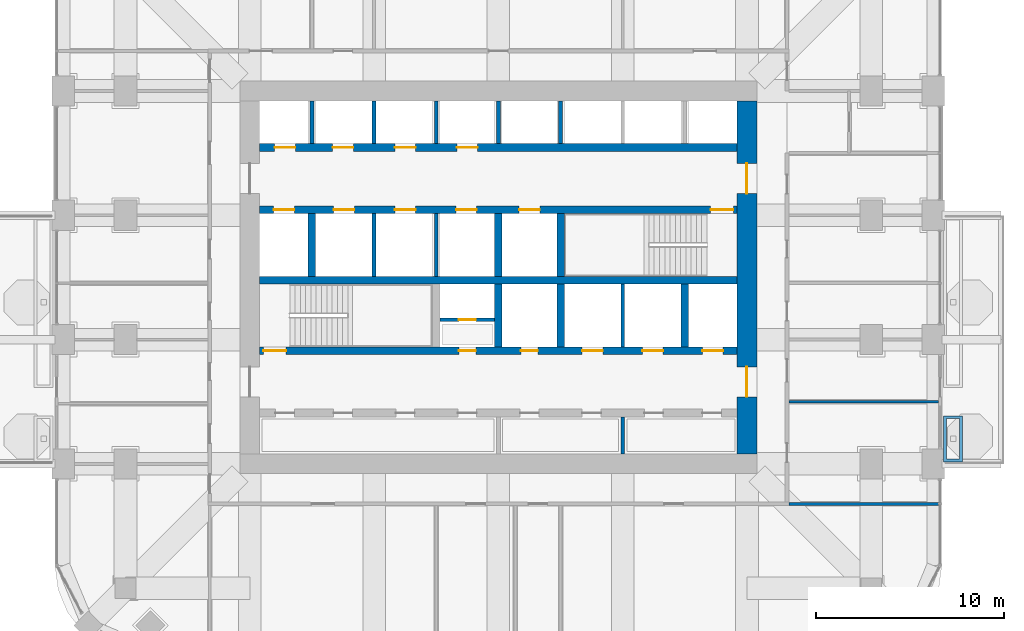
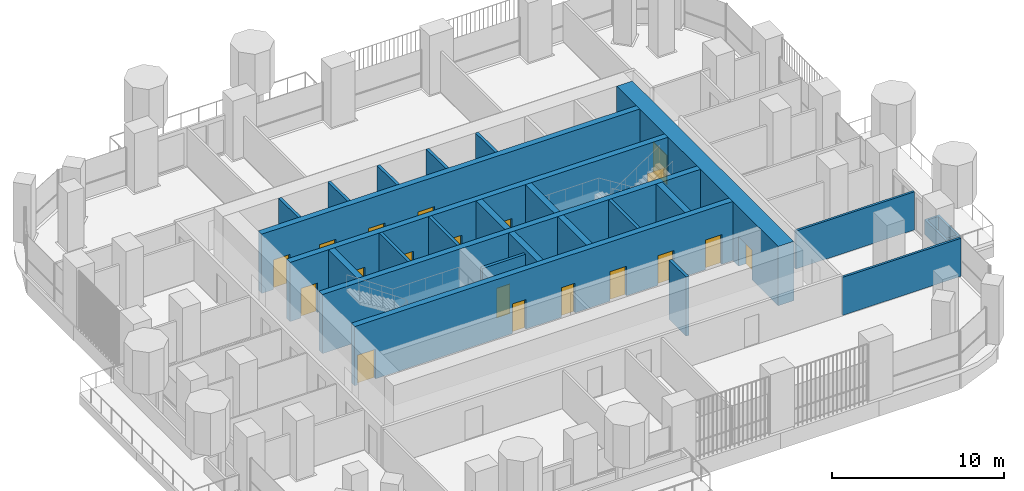
# One storey, part 13 of 20: 24 walls, 19 doors, 19 openings.
"""IFC4 building model written with IfcOpenShell, lengths in metres."""

from ifc_helpers import new_model, si_unit, direction, frame, frame_2d, origin, place, context, subcontext, project, spatial, polyline, rectangle, outline, extrude, material, layer, layer_set, type_object, element, fill, save


model = new_model("IFC4")

# Units and contexts
model_context = context("Model", 3, precision=1e-05, world=origin(), true_north=direction((0.0, 1.0)))
body_context = subcontext(model_context, "Body", "Model", "MODEL_VIEW")
ifc_project = project(units=[si_unit("LENGTHUNIT", "METRE"), si_unit("AREAUNIT", "SQUARE_METRE"), si_unit("VOLUMEUNIT", "CUBIC_METRE"), si_unit("PLANEANGLEUNIT", "RADIAN"), si_unit("MASSUNIT", "GRAM", prefix="KILO")], contexts=[model_context])

# Site, building, storey
site_placement = place(None, origin())
site = spatial("IfcSite", under=ifc_project, at=site_placement, CompositionType="ELEMENT")
building_placement = place(site_placement, origin())
building = spatial("IfcBuilding", under=site, at=building_placement, Name="Cobogo Forest Laboratory Tower", CompositionType="ELEMENT")
storey_placement = place(building_placement, frame((0.0, 0.0, 193.5)))
storey = spatial("IfcBuildingStorey", under=building, at=storey_placement, Name="L44", CompositionType="ELEMENT", Elevation=193.5)

# Wall, openings, doors
ifc_material_1 = material(Name="Concrete HA-50 (C50/60)", Category="concrete")
ifc_layer_1 = layer(ifc_material_1, 0.39990234375)
ifc_layer_set_1 = layer_set([ifc_layer_1], Name="CI400 core inner wall 400")
wall_type_1 = type_object("IfcWallType", Name="CI400 core inner wall 400", PredefinedType="SHEAR", material=ifc_layer_set_1)
wall_1_placement = place(storey_placement, frame((13.72509765625, 19.199951171875, 0.0), z_axis=(0.0, 0.0, 1.0), x_axis=(1.0, 0.0, 0.0)))
wall_1 = element("IfcWall", 1, at=wall_1_placement, inside=storey, type_object=wall_type_1, Name="Core wall CI-19.2 L44", PredefinedType="SHEAR", context=body_context, shape_type="SweptSolid", body=[
    extrude(rectangle(XDim=25.349853515625, YDim=0.39990234375, at=frame_2d((12.6748046875, 0.0))), origin(), (0.0, 0.0, 1.0), 4.199951171875),
])
opening_1_placement = place(wall_1_placement, frame((10.574951171875, 0.0, 0.0)))
opening_1 = element("IfcOpeningElement", 2, at=opening_1_placement, cuts=wall_1, Name="Opening L44-D24", PredefinedType="OPENING", context=body_context, shape_type="SweptSolid", body=[
    extrude(rectangle(XDim=0.89990234375, YDim=2.10009765625, at=frame_2d((0.449951171875, 1.050048828125))), frame((0.0, 0.2099609375, 0.0), z_axis=(0.0, -1.0, 0.0), x_axis=(1.0, 0.0, 0.0)), (0.0, 0.0, 1.0), 0.419921875),
])
opening_2_placement = place(wall_1_placement, frame((13.875, 0.0, 0.0)))
opening_2 = element("IfcOpeningElement", 3, at=opening_2_placement, cuts=wall_1, Name="Opening L44-D25", PredefinedType="OPENING", context=body_context, shape_type="SweptSolid", body=[
    extrude(rectangle(XDim=0.89990234375, YDim=2.10009765625, at=frame_2d((0.449951171875, 1.050048828125))), frame((0.0, 0.2099609375, 0.0), z_axis=(0.0, -1.0, 0.0), x_axis=(1.0, 0.0, 0.0)), (0.0, 0.0, 1.0), 0.419921875),
])
opening_3_placement = place(wall_1_placement, frame((0.199951171875, 0.0, 0.0)))
opening_3 = element("IfcOpeningElement", 4, at=opening_3_placement, cuts=wall_1, Name="Opening L44-D23", PredefinedType="OPENING", context=body_context, shape_type="SweptSolid", body=[
    extrude(rectangle(XDim=1.199951171875, YDim=2.10009765625, at=frame_2d((0.60009765625, 1.050048828125))), frame((0.0, 0.2099609375, 0.0), z_axis=(0.0, -1.0, 0.0), x_axis=(1.0, 0.0, 0.0)), (0.0, 0.0, 1.0), 0.419921875),
])
opening_4_placement = place(wall_1_placement, frame((23.512451171875, 0.0, 0.0)))
opening_4 = element("IfcOpeningElement", 5, at=opening_4_placement, cuts=wall_1, Name="Opening L44-LD-FL2", PredefinedType="OPENING", context=body_context, shape_type="SweptSolid", body=[
    extrude(rectangle(XDim=1.10009765625, YDim=2.10009765625, at=frame_2d((0.550048828125, 1.050048828125))), frame((0.0, 0.2099609375, 0.0), z_axis=(0.0, -1.0, 0.0), x_axis=(1.0, 0.0, 0.0)), (0.0, 0.0, 1.0), 0.419921875),
])
opening_5_placement = place(wall_1_placement, frame((17.125, 0.0, 0.0)))
opening_5 = element("IfcOpeningElement", 6, at=opening_5_placement, cuts=wall_1, Name="Opening L44-LD-LS1", PredefinedType="OPENING", context=body_context, shape_type="SweptSolid", body=[
    extrude(rectangle(XDim=1.10009765625, YDim=2.10009765625, at=frame_2d((0.550048828125, 1.050048828125))), frame((0.0, 0.2099609375, 0.0), z_axis=(0.0, -1.0, 0.0), x_axis=(1.0, 0.0, 0.0)), (0.0, 0.0, 1.0), 0.419921875),
])
opening_6_placement = place(wall_1_placement, frame((20.324951171875, 0.0, 0.0)))
opening_6 = element("IfcOpeningElement", 7, at=opening_6_placement, cuts=wall_1, Name="Opening L44-LD-LS2", PredefinedType="OPENING", context=body_context, shape_type="SweptSolid", body=[
    extrude(rectangle(XDim=1.10009765625, YDim=2.10009765625, at=frame_2d((0.550048828125, 1.050048828125))), frame((0.0, 0.2099609375, 0.0), z_axis=(0.0, -1.0, 0.0), x_axis=(1.0, 0.0, 0.0)), (0.0, 0.0, 1.0), 0.419921875),
])
ifc_material_2 = material(Name="Steel fire door", Category="steel")
door_type_1 = type_object("IfcDoorType", Name="DS1 protected stair door 1200 EI2 60", OperationType="SINGLE_SWING_LEFT", PredefinedType="DOOR", material=ifc_material_2)
door_1_placement = place(opening_3_placement, origin())
door_1 = element("IfcDoor", 8, at=door_1_placement, inside=storey, type_object=door_type_1, Name="Door L44-ST1", OperationType="SINGLE_SWING_LEFT", OverallHeight=2.10009765625, OverallWidth=1.199951171875, PredefinedType="DOOR", context=body_context, shape_type="SweptSolid", body=[
    extrude(rectangle(XDim=1.199951171875, YDim=2.10009765625, at=frame_2d((0.60009765625, 1.050048828125))), frame((0.0, 0.02490234375, 0.0), z_axis=(0.0, -1.0, 0.0), x_axis=(1.0, 0.0, 0.0)), (0.0, 0.0, 1.0), 0.050048828125),
])
fill(opening_3, door_1)
door_type_2 = type_object("IfcDoorType", Name="FD4 riser access door 900 EI2 60", OperationType="SINGLE_SWING_LEFT", PredefinedType="DOOR", material=ifc_material_2)
door_2_placement = place(opening_1_placement, origin())
door_2 = element("IfcDoor", 9, at=door_2_placement, inside=storey, type_object=door_type_2, Name="Door L44-R1V", OperationType="SINGLE_SWING_LEFT", OverallHeight=2.10009765625, OverallWidth=0.89990234375, PredefinedType="DOOR", context=body_context, shape_type="SweptSolid", body=[
    extrude(rectangle(XDim=0.89990234375, YDim=2.10009765625, at=frame_2d((0.449951171875, 1.050048828125))), frame((0.0, 0.02490234375, 0.0), z_axis=(0.0, -1.0, 0.0), x_axis=(1.0, 0.0, 0.0)), (0.0, 0.0, 1.0), 0.050048828125),
])
fill(opening_1, door_2)
door_3_placement = place(opening_2_placement, origin())
door_3 = element("IfcDoor", 10, at=door_3_placement, inside=storey, type_object=door_type_2, Name="Door L44-R2", OperationType="SINGLE_SWING_RIGHT", OverallHeight=2.10009765625, OverallWidth=0.89990234375, PredefinedType="DOOR", context=body_context, shape_type="SweptSolid", body=[
    extrude(rectangle(XDim=0.89990234375, YDim=2.10009765625, at=frame_2d((0.449951171875, 1.050048828125))), frame((0.0, 0.02490234375, 0.0), z_axis=(0.0, -1.0, 0.0), x_axis=(1.0, 0.0, 0.0)), (0.0, 0.0, 1.0), 0.050048828125),
])
fill(opening_2, door_3)
ifc_material_3 = material(Name="Stainless steel lift door", Category="steel")
door_type_3 = type_object("IfcDoorType", Name="LD lift landing door 1100", OperationType="DOUBLE_DOOR_SLIDING", PredefinedType="DOOR", material=ifc_material_3)
door_4_placement = place(opening_4_placement, origin())
door_4 = element("IfcDoor", 11, at=door_4_placement, inside=storey, type_object=door_type_3, Name="Lift landing door FL2 L44", OperationType="DOUBLE_DOOR_SLIDING", OverallHeight=2.10009765625, OverallWidth=1.10009765625, PredefinedType="DOOR", context=body_context, shape_type="SweptSolid", body=[
    extrude(rectangle(XDim=1.10009765625, YDim=2.10009765625, at=frame_2d((0.550048828125, 1.050048828125))), frame((0.0, 0.02490234375, 0.0), z_axis=(0.0, -1.0, 0.0), x_axis=(1.0, 0.0, 0.0)), (0.0, 0.0, 1.0), 0.050048828125),
])
fill(opening_4, door_4)
door_5_placement = place(opening_5_placement, origin())
door_5 = element("IfcDoor", 12, at=door_5_placement, inside=storey, type_object=door_type_3, Name="Lift landing door LS1 L44", OperationType="DOUBLE_DOOR_SLIDING", OverallHeight=2.10009765625, OverallWidth=1.10009765625, PredefinedType="DOOR", context=body_context, shape_type="SweptSolid", body=[
    extrude(rectangle(XDim=1.10009765625, YDim=2.10009765625, at=frame_2d((0.550048828125, 1.050048828125))), frame((0.0, 0.02490234375, 0.0), z_axis=(0.0, -1.0, 0.0), x_axis=(1.0, 0.0, 0.0)), (0.0, 0.0, 1.0), 0.050048828125),
])
fill(opening_5, door_5)
door_6_placement = place(opening_6_placement, origin())
door_6 = element("IfcDoor", 13, at=door_6_placement, inside=storey, type_object=door_type_3, Name="Lift landing door LS2 L44", OperationType="DOUBLE_DOOR_SLIDING", OverallHeight=2.10009765625, OverallWidth=1.10009765625, PredefinedType="DOOR", context=body_context, shape_type="SweptSolid", body=[
    extrude(rectangle(XDim=1.10009765625, YDim=2.10009765625, at=frame_2d((0.550048828125, 1.050048828125))), frame((0.0, 0.02490234375, 0.0), z_axis=(0.0, -1.0, 0.0), x_axis=(1.0, 0.0, 0.0)), (0.0, 0.0, 1.0), 0.050048828125),
])
fill(opening_6, door_6)

# Wall
wall_2_placement = place(storey_placement, frame((13.72509765625, 22.949951171875, 0.0), z_axis=(0.0, 0.0, 1.0), x_axis=(1.0, 0.0, 0.0)))
element("IfcWall", 14, at=wall_2_placement, inside=storey, type_object=wall_type_1, Name="Core wall CI-22.95 L44", PredefinedType="SHEAR", context=body_context, shape_type="SweptSolid", body=[
    extrude(rectangle(XDim=25.349853515625, YDim=0.39990234375, at=frame_2d((12.6748046875, 0.0))), origin(), (0.0, 0.0, 1.0), 4.199951171875),
])

# Wall, openings, doors
wall_3_placement = place(storey_placement, frame((13.72509765625, 26.699951171875, 0.0), z_axis=(0.0, 0.0, 1.0), x_axis=(1.0, 0.0, 0.0)))
wall_3 = element("IfcWall", 15, at=wall_3_placement, inside=storey, type_object=wall_type_1, Name="Core wall CI-26.7 L44", PredefinedType="SHEAR", context=body_context, shape_type="SweptSolid", body=[
    extrude(rectangle(XDim=25.349853515625, YDim=0.39990234375, at=frame_2d((12.6748046875, 0.0))), origin(), (0.0, 0.0, 1.0), 4.199951171875),
])
opening_7_placement = place(wall_3_placement, frame((23.949951171875, 0.0, 0.0)))
opening_7 = element("IfcOpeningElement", 16, at=opening_7_placement, cuts=wall_3, Name="Opening L44-D31", PredefinedType="OPENING", context=body_context, shape_type="SweptSolid", body=[
    extrude(rectangle(XDim=1.199951171875, YDim=2.10009765625, at=frame_2d((0.60009765625, 1.050048828125))), frame((0.0, 0.2099609375, 0.0), z_axis=(0.0, -1.0, 0.0), x_axis=(1.0, 0.0, 0.0)), (0.0, 0.0, 1.0), 0.419921875),
])
opening_8_placement = place(wall_3_placement, frame((0.737548828125, 0.0, 0.0)))
opening_8 = element("IfcOpeningElement", 17, at=opening_8_placement, cuts=wall_3, Name="Opening L44-LD-FL1", PredefinedType="OPENING", context=body_context, shape_type="SweptSolid", body=[
    extrude(rectangle(XDim=1.10009765625, YDim=2.10009765625, at=frame_2d((0.550048828125, 1.050048828125))), frame((0.0, 0.2099609375, 0.0), z_axis=(0.0, -1.0, 0.0), x_axis=(1.0, 0.0, 0.0)), (0.0, 0.0, 1.0), 0.419921875),
])
opening_9_placement = place(wall_3_placement, frame((3.925048828125, 0.0, 0.0)))
opening_9 = element("IfcOpeningElement", 18, at=opening_9_placement, cuts=wall_3, Name="Opening L44-LD-LS3", PredefinedType="OPENING", context=body_context, shape_type="SweptSolid", body=[
    extrude(rectangle(XDim=1.10009765625, YDim=2.10009765625, at=frame_2d((0.550048828125, 1.050048828125))), frame((0.0, 0.2099609375, 0.0), z_axis=(0.0, -1.0, 0.0), x_axis=(1.0, 0.0, 0.0)), (0.0, 0.0, 1.0), 0.419921875),
])
opening_10_placement = place(wall_3_placement, frame((7.175048828125, 0.0, 0.0)))
opening_10 = element("IfcOpeningElement", 19, at=opening_10_placement, cuts=wall_3, Name="Opening L44-LD-LS4", PredefinedType="OPENING", context=body_context, shape_type="SweptSolid", body=[
    extrude(rectangle(XDim=1.10009765625, YDim=2.10009765625, at=frame_2d((0.550048828125, 1.050048828125))), frame((0.0, 0.2099609375, 0.0), z_axis=(0.0, -1.0, 0.0), x_axis=(1.0, 0.0, 0.0)), (0.0, 0.0, 1.0), 0.419921875),
])
opening_11_placement = place(wall_3_placement, frame((10.425048828125, 0.0, 0.0)))
opening_11 = element("IfcOpeningElement", 20, at=opening_11_placement, cuts=wall_3, Name="Opening L44-LD-LS5", PredefinedType="OPENING", context=body_context, shape_type="SweptSolid", body=[
    extrude(rectangle(XDim=1.10009765625, YDim=2.10009765625, at=frame_2d((0.550048828125, 1.050048828125))), frame((0.0, 0.2099609375, 0.0), z_axis=(0.0, -1.0, 0.0), x_axis=(1.0, 0.0, 0.0)), (0.0, 0.0, 1.0), 0.419921875),
])
opening_12_placement = place(wall_3_placement, frame((13.77490234375, 0.0, 0.0)))
opening_12 = element("IfcOpeningElement", 21, at=opening_12_placement, cuts=wall_3, Name="Opening L44-LD-LS6", PredefinedType="OPENING", context=body_context, shape_type="SweptSolid", body=[
    extrude(rectangle(XDim=1.10009765625, YDim=2.10009765625, at=frame_2d((0.550048828125, 1.050048828125))), frame((0.0, 0.2099609375, 0.0), z_axis=(0.0, -1.0, 0.0), x_axis=(1.0, 0.0, 0.0)), (0.0, 0.0, 1.0), 0.419921875),
])
door_7_placement = place(opening_7_placement, origin())
door_7 = element("IfcDoor", 22, at=door_7_placement, inside=storey, type_object=door_type_1, Name="Door L44-ST2", OperationType="SINGLE_SWING_RIGHT", OverallHeight=2.10009765625, OverallWidth=1.199951171875, PredefinedType="DOOR", context=body_context, shape_type="SweptSolid", body=[
    extrude(rectangle(XDim=1.199951171875, YDim=2.10009765625, at=frame_2d((0.60009765625, 1.050048828125))), frame((0.0, 0.02490234375, 0.0), z_axis=(0.0, -1.0, 0.0), x_axis=(1.0, 0.0, 0.0)), (0.0, 0.0, 1.0), 0.050048828125),
])
fill(opening_7, door_7)
door_8_placement = place(opening_8_placement, origin())
door_8 = element("IfcDoor", 23, at=door_8_placement, inside=storey, type_object=door_type_3, Name="Lift landing door FL1 L44", OperationType="DOUBLE_DOOR_SLIDING", OverallHeight=2.10009765625, OverallWidth=1.10009765625, PredefinedType="DOOR", context=body_context, shape_type="SweptSolid", body=[
    extrude(rectangle(XDim=1.10009765625, YDim=2.10009765625, at=frame_2d((0.550048828125, 1.050048828125))), frame((0.0, 0.02490234375, 0.0), z_axis=(0.0, -1.0, 0.0), x_axis=(1.0, 0.0, 0.0)), (0.0, 0.0, 1.0), 0.050048828125),
])
fill(opening_8, door_8)
door_9_placement = place(opening_9_placement, origin())
door_9 = element("IfcDoor", 24, at=door_9_placement, inside=storey, type_object=door_type_3, Name="Lift landing door LS3 L44", OperationType="DOUBLE_DOOR_SLIDING", OverallHeight=2.10009765625, OverallWidth=1.10009765625, PredefinedType="DOOR", context=body_context, shape_type="SweptSolid", body=[
    extrude(rectangle(XDim=1.10009765625, YDim=2.10009765625, at=frame_2d((0.550048828125, 1.050048828125))), frame((0.0, 0.02490234375, 0.0), z_axis=(0.0, -1.0, 0.0), x_axis=(1.0, 0.0, 0.0)), (0.0, 0.0, 1.0), 0.050048828125),
])
fill(opening_9, door_9)
door_10_placement = place(opening_10_placement, origin())
door_10 = element("IfcDoor", 25, at=door_10_placement, inside=storey, type_object=door_type_3, Name="Lift landing door LS4 L44", OperationType="DOUBLE_DOOR_SLIDING", OverallHeight=2.10009765625, OverallWidth=1.10009765625, PredefinedType="DOOR", context=body_context, shape_type="SweptSolid", body=[
    extrude(rectangle(XDim=1.10009765625, YDim=2.10009765625, at=frame_2d((0.550048828125, 1.050048828125))), frame((0.0, 0.02490234375, 0.0), z_axis=(0.0, -1.0, 0.0), x_axis=(1.0, 0.0, 0.0)), (0.0, 0.0, 1.0), 0.050048828125),
])
fill(opening_10, door_10)
door_11_placement = place(opening_11_placement, origin())
door_11 = element("IfcDoor", 26, at=door_11_placement, inside=storey, type_object=door_type_3, Name="Lift landing door LS5 L44", OperationType="DOUBLE_DOOR_SLIDING", OverallHeight=2.10009765625, OverallWidth=1.10009765625, PredefinedType="DOOR", context=body_context, shape_type="SweptSolid", body=[
    extrude(rectangle(XDim=1.10009765625, YDim=2.10009765625, at=frame_2d((0.550048828125, 1.050048828125))), frame((0.0, 0.02490234375, 0.0), z_axis=(0.0, -1.0, 0.0), x_axis=(1.0, 0.0, 0.0)), (0.0, 0.0, 1.0), 0.050048828125),
])
fill(opening_11, door_11)
door_12_placement = place(opening_12_placement, origin())
door_12 = element("IfcDoor", 27, at=door_12_placement, inside=storey, type_object=door_type_3, Name="Lift landing door LS6 L44", OperationType="DOUBLE_DOOR_SLIDING", OverallHeight=2.10009765625, OverallWidth=1.10009765625, PredefinedType="DOOR", context=body_context, shape_type="SweptSolid", body=[
    extrude(rectangle(XDim=1.10009765625, YDim=2.10009765625, at=frame_2d((0.550048828125, 1.050048828125))), frame((0.0, 0.02490234375, 0.0), z_axis=(0.0, -1.0, 0.0), x_axis=(1.0, 0.0, 0.0)), (0.0, 0.0, 1.0), 0.050048828125),
])
fill(opening_12, door_12)

wall_4_placement = place(storey_placement, frame((13.72509765625, 30.0, 0.0), z_axis=(0.0, 0.0, 1.0), x_axis=(1.0, 0.0, 0.0)))
wall_4 = element("IfcWall", 28, at=wall_4_placement, inside=storey, type_object=wall_type_1, Name="Core wall CI-30.0 L44", PredefinedType="SHEAR", context=body_context, shape_type="SweptSolid", body=[
    extrude(rectangle(XDim=25.349853515625, YDim=0.39990234375, at=frame_2d((12.6748046875, 0.0))), origin(), (0.0, 0.0, 1.0), 4.199951171875),
])
opening_13_placement = place(wall_4_placement, frame((0.78759765625, 0.0, 0.0)))
opening_13 = element("IfcOpeningElement", 29, at=opening_13_placement, cuts=wall_4, Name="Opening L44-LD-LC1", PredefinedType="OPENING", context=body_context, shape_type="SweptSolid", body=[
    extrude(rectangle(XDim=1.10009765625, YDim=2.10009765625, at=frame_2d((0.550048828125, 1.050048828125))), frame((0.0, 0.2099609375, 0.0), z_axis=(0.0, -1.0, 0.0), x_axis=(1.0, 0.0, 0.0)), (0.0, 0.0, 1.0), 0.419921875),
])
opening_14_placement = place(wall_4_placement, frame((3.875, 0.0, 0.0)))
opening_14 = element("IfcOpeningElement", 30, at=opening_14_placement, cuts=wall_4, Name="Opening L44-LD-LC2", PredefinedType="OPENING", context=body_context, shape_type="SweptSolid", body=[
    extrude(rectangle(XDim=1.10009765625, YDim=2.10009765625, at=frame_2d((0.550048828125, 1.050048828125))), frame((0.0, 0.2099609375, 0.0), z_axis=(0.0, -1.0, 0.0), x_axis=(1.0, 0.0, 0.0)), (0.0, 0.0, 1.0), 0.419921875),
])
opening_15_placement = place(wall_4_placement, frame((7.175048828125, 0.0, 0.0)))
opening_15 = element("IfcOpeningElement", 31, at=opening_15_placement, cuts=wall_4, Name="Opening L44-LD-LC3", PredefinedType="OPENING", context=body_context, shape_type="SweptSolid", body=[
    extrude(rectangle(XDim=1.10009765625, YDim=2.10009765625, at=frame_2d((0.550048828125, 1.050048828125))), frame((0.0, 0.2099609375, 0.0), z_axis=(0.0, -1.0, 0.0), x_axis=(1.0, 0.0, 0.0)), (0.0, 0.0, 1.0), 0.419921875),
])
opening_16_placement = place(wall_4_placement, frame((10.47509765625, 0.0, 0.0)))
opening_16 = element("IfcOpeningElement", 32, at=opening_16_placement, cuts=wall_4, Name="Opening L44-LD-LC4", PredefinedType="OPENING", context=body_context, shape_type="SweptSolid", body=[
    extrude(rectangle(XDim=1.10009765625, YDim=2.10009765625, at=frame_2d((0.550048828125, 1.050048828125))), frame((0.0, 0.2099609375, 0.0), z_axis=(0.0, -1.0, 0.0), x_axis=(1.0, 0.0, 0.0)), (0.0, 0.0, 1.0), 0.419921875),
])
door_13_placement = place(opening_13_placement, origin())
door_13 = element("IfcDoor", 33, at=door_13_placement, inside=storey, type_object=door_type_3, Name="Lift landing door LC1 L44", OperationType="DOUBLE_DOOR_SLIDING", OverallHeight=2.10009765625, OverallWidth=1.10009765625, PredefinedType="DOOR", context=body_context, shape_type="SweptSolid", body=[
    extrude(rectangle(XDim=1.10009765625, YDim=2.10009765625, at=frame_2d((0.550048828125, 1.050048828125))), frame((0.0, 0.02490234375, 0.0), z_axis=(0.0, -1.0, 0.0), x_axis=(1.0, 0.0, 0.0)), (0.0, 0.0, 1.0), 0.050048828125),
])
fill(opening_13, door_13)
door_14_placement = place(opening_14_placement, origin())
door_14 = element("IfcDoor", 34, at=door_14_placement, inside=storey, type_object=door_type_3, Name="Lift landing door LC2 L44", OperationType="DOUBLE_DOOR_SLIDING", OverallHeight=2.10009765625, OverallWidth=1.10009765625, PredefinedType="DOOR", context=body_context, shape_type="SweptSolid", body=[
    extrude(rectangle(XDim=1.10009765625, YDim=2.10009765625, at=frame_2d((0.550048828125, 1.050048828125))), frame((0.0, 0.02490234375, 0.0), z_axis=(0.0, -1.0, 0.0), x_axis=(1.0, 0.0, 0.0)), (0.0, 0.0, 1.0), 0.050048828125),
])
fill(opening_14, door_14)
door_15_placement = place(opening_15_placement, origin())
door_15 = element("IfcDoor", 35, at=door_15_placement, inside=storey, type_object=door_type_3, Name="Lift landing door LC3 L44", OperationType="DOUBLE_DOOR_SLIDING", OverallHeight=2.10009765625, OverallWidth=1.10009765625, PredefinedType="DOOR", context=body_context, shape_type="SweptSolid", body=[
    extrude(rectangle(XDim=1.10009765625, YDim=2.10009765625, at=frame_2d((0.550048828125, 1.050048828125))), frame((0.0, 0.02490234375, 0.0), z_axis=(0.0, -1.0, 0.0), x_axis=(1.0, 0.0, 0.0)), (0.0, 0.0, 1.0), 0.050048828125),
])
fill(opening_15, door_15)
door_16_placement = place(opening_16_placement, origin())
door_16 = element("IfcDoor", 36, at=door_16_placement, inside=storey, type_object=door_type_3, Name="Lift landing door LC4 L44", OperationType="DOUBLE_DOOR_SLIDING", OverallHeight=2.10009765625, OverallWidth=1.10009765625, PredefinedType="DOOR", context=body_context, shape_type="SweptSolid", body=[
    extrude(rectangle(XDim=1.10009765625, YDim=2.10009765625, at=frame_2d((0.550048828125, 1.050048828125))), frame((0.0, 0.02490234375, 0.0), z_axis=(0.0, -1.0, 0.0), x_axis=(1.0, 0.0, 0.0)), (0.0, 0.0, 1.0), 0.050048828125),
])
fill(opening_16, door_16)

# Walls
for number, where, z_axis, x_axis, name in (
    (37, (26.39990234375, 19.39990234375, 0.0), (0.0, 0.0, 1.0), (0.0, 1.0, 0.0), "Core wall CX-26.4S L44"),
    (38, (29.699951171875, 19.39990234375, 0.0), (0.0, 0.0, 1.0), (0.0, 1.0, 0.0), "Core wall CX-29.7S L44"),
    (39, (36.300048828125, 19.39990234375, 0.0), (0.0, 0.0, 1.0), (0.0, 1.0, 0.0), "Core wall CX-36.3 L44"),
    (40, (16.5, 23.14990234375, 0.0), (0.0, 0.0, 1.0), (0.0, 1.0, 0.0), "Core wall CX-16.5 L44"),
    (41, (26.39990234375, 23.14990234375, 0.0), (0.0, 0.0, 1.0), (0.0, 1.0, 0.0), "Core wall CX-26.4N L44"),
    (42, (29.699951171875, 23.14990234375, 0.0), (0.0, 0.0, 1.0), (0.0, 1.0, 0.0), "Core wall CX-29.7N L44"),
):
    element("IfcWall", number, at=place(storey_placement, frame(where, z_axis=z_axis, x_axis=x_axis)), inside=storey, type_object=wall_type_1, Name=name, PredefinedType="SHEAR", context=body_context, shape_type="SweptSolid", body=[
        extrude(rectangle(XDim=3.35009765625, YDim=0.39990234375, at=frame_2d((1.675048828125, 0.0))), origin(), (0.0, 0.0, 1.0), 4.199951171875),
    ])

# Wall, openings, doors
ifc_layer_2 = layer(ifc_material_1, 1.050048828125)
ifc_layer_set_2 = layer_set([ifc_layer_2], Name="CW1050 core outer wall 1050")
wall_type_2 = type_object("IfcWallType", Name="CW1050 core outer wall 1050", PredefinedType="SHEAR", material=ifc_layer_set_2)
wall_5_placement = place(storey_placement, frame((39.60009765625, 13.72509765625, 0.0), z_axis=(0.0, 0.0, 1.0), x_axis=(0.0, 1.0, 0.0)))
wall_5 = element("IfcWall", 43, at=wall_5_placement, inside=storey, type_object=wall_type_2, Name="Core wall CO-E L44", PredefinedType="SHEAR", context=body_context, shape_type="SweptSolid", body=[
    extrude(rectangle(XDim=18.75, YDim=1.050048828125, at=frame_2d((9.375, 0.0))), origin(), (0.0, 0.0, 1.0), 4.199951171875),
])
opening_17_placement = place(wall_5_placement, frame((3.02490234375, 0.0, 0.0)))
opening_17 = element("IfcOpeningElement", 44, at=opening_17_placement, cuts=wall_5, Name="Opening L44-D20", PredefinedType="OPENING", context=body_context, shape_type="SweptSolid", body=[
    extrude(rectangle(XDim=1.60009765625, YDim=2.10009765625, at=frame_2d((0.800048828125, 1.050048828125))), frame((0.0, 0.534912109375, 0.0), z_axis=(0.0, -1.0, 0.0), x_axis=(1.0, 0.0, 0.0)), (0.0, 0.0, 1.0), 1.070068359375),
])
opening_18_placement = place(wall_5_placement, frame((13.824951171875, 0.0, 0.0)))
opening_18 = element("IfcOpeningElement", 45, at=opening_18_placement, cuts=wall_5, Name="Opening L44-D34", PredefinedType="OPENING", context=body_context, shape_type="SweptSolid", body=[
    extrude(rectangle(XDim=1.60009765625, YDim=2.10009765625, at=frame_2d((0.800048828125, 1.050048828125))), frame((0.0, 0.534912109375, 0.0), z_axis=(0.0, -1.0, 0.0), x_axis=(1.0, 0.0, 0.0)), (0.0, 0.0, 1.0), 1.070068359375),
])
door_type_4 = type_object("IfcDoorType", Name="DS2 protected lobby door pair 1600 EI2 60", OperationType="DOUBLE_DOOR_DOUBLE_SWING", PredefinedType="DOOR", material=ifc_material_2)
door_17_placement = place(opening_17_placement, origin())
door_17 = element("IfcDoor", 46, at=door_17_placement, inside=storey, type_object=door_type_4, Name="Door L44-CO-E-S", OperationType="DOUBLE_DOOR_DOUBLE_SWING", OverallHeight=2.10009765625, OverallWidth=1.60009765625, PredefinedType="DOOR", context=body_context, shape_type="SweptSolid", body=[
    extrude(rectangle(XDim=1.60009765625, YDim=2.10009765625, at=frame_2d((0.800048828125, 1.050048828125))), frame((0.0, 0.02490234375, 0.0), z_axis=(0.0, -1.0, 0.0), x_axis=(1.0, 0.0, 0.0)), (0.0, 0.0, 1.0), 0.050048828125),
])
fill(opening_17, door_17)
door_18_placement = place(opening_18_placement, origin())
door_18 = element("IfcDoor", 47, at=door_18_placement, inside=storey, type_object=door_type_4, Name="Door L44-CO-E-N", OperationType="DOUBLE_DOOR_DOUBLE_SWING", OverallHeight=2.10009765625, OverallWidth=1.60009765625, PredefinedType="DOOR", context=body_context, shape_type="SweptSolid", body=[
    extrude(rectangle(XDim=1.60009765625, YDim=2.10009765625, at=frame_2d((0.800048828125, 1.050048828125))), frame((0.0, 0.02490234375, 0.0), z_axis=(0.0, -1.0, 0.0), x_axis=(1.0, 0.0, 0.0)), (0.0, 0.0, 1.0), 0.050048828125),
])
fill(opening_18, door_18)

# Walls
ifc_material_4 = material(Name="Gypsum board on steel studs", Category="steel")
ifc_layer_3 = layer(ifc_material_4, 0.14990234375)
ifc_layer_set_3 = layer_set([ifc_layer_3], Name="PT1 laboratory partition 150")
wall_type_3 = type_object("IfcWallType", Name="PT1 laboratory partition 150", PredefinedType="PARTITIONING", material=ifc_layer_set_3)
for number, where, z_axis, x_axis, name in (
    (48, (49.77001953125, 11.074951171875, 0.0), (0.0, 0.0, 1.0), (-1.0, 0.0, 0.0), "Partition PW-SE L44"),
    (49, (49.77001953125, 16.5, 0.0), (0.0, 0.0, 1.0), (-1.0, 0.0, 0.0), "Partition CUT-E16.5-1 L44"),
):
    element("IfcWall", number, at=place(storey_placement, frame(where, z_axis=z_axis, x_axis=x_axis)), inside=storey, type_object=wall_type_3, Name=name, PredefinedType="PARTITIONING", context=body_context, shape_type="SweptSolid", body=[
        extrude(rectangle(XDim=7.945068359375, YDim=0.14990234375, at=frame_2d((3.97265625, 0.0))), origin(), (0.0, 0.0, 1.0), 2.699951171875),
    ])

# Wall, opening, door
ifc_layer_4 = layer(ifc_material_4, 0.199951171875)
ifc_layer_set_4 = layer_set([ifc_layer_4], Name="PT2 fire-rated corridor partition 200")
wall_type_4 = type_object("IfcWallType", Name="PT2 fire-rated corridor partition 200", PredefinedType="PARTITIONING", material=ifc_layer_set_4)
wall_6_placement = place(storey_placement, frame((23.300048828125, 20.85009765625, 0.0), z_axis=(0.0, 0.0, 1.0), x_axis=(1.0, 0.0, 0.0)))
wall_6 = element("IfcWall", 50, at=wall_6_placement, inside=storey, type_object=wall_type_4, Name="Partition RSPLIT-R1 L44", PredefinedType="PARTITIONING", context=body_context, shape_type="SweptSolid", body=[
    extrude(rectangle(XDim=2.89990234375, YDim=0.199951171875, at=frame_2d((1.449951171875, 0.0))), origin(), (0.0, 0.0, 1.0), 3.89990234375),
])
opening_19_placement = place(wall_6_placement, frame((1.0, 0.0, 0.0)))
opening_19 = element("IfcOpeningElement", 51, at=opening_19_placement, cuts=wall_6, Name="Opening L44-D26", PredefinedType="OPENING", context=body_context, shape_type="SweptSolid", body=[
    extrude(rectangle(XDim=0.89990234375, YDim=2.10009765625, at=frame_2d((0.449951171875, 1.050048828125))), frame((0.0, 0.10986328125, 0.0), z_axis=(0.0, -1.0, 0.0), x_axis=(1.0, 0.0, 0.0)), (0.0, 0.0, 1.0), 0.219970703125),
])
door_19_placement = place(opening_19_placement, origin())
door_19 = element("IfcDoor", 52, at=door_19_placement, inside=storey, type_object=door_type_2, Name="Door L44-R1", OperationType="SINGLE_SWING_LEFT", OverallHeight=2.10009765625, OverallWidth=0.89990234375, PredefinedType="DOOR", context=body_context, shape_type="SweptSolid", body=[
    extrude(rectangle(XDim=0.89990234375, YDim=2.10009765625, at=frame_2d((0.449951171875, 1.050048828125))), frame((0.0, 0.02490234375, 0.0), z_axis=(0.0, -1.0, 0.0), x_axis=(1.0, 0.0, 0.0)), (0.0, 0.0, 1.0), 0.050048828125),
])
fill(opening_19, door_19)

# Walls
ifc_material_5 = material(Name="Concrete HA-40 (C40/50)", Category="concrete")
ifc_layer_5 = layer(ifc_material_5, 0.14990234375)
ifc_layer_set_5 = layer_set([ifc_layer_5], Name="Planter box 1000x1050")
wall_type_5 = type_object("IfcWallType", Name="Planter box 1000x1050", PredefinedType="USERDEFINED", material=ifc_layer_set_5)
wall_7_placement = place(storey_placement, origin())
element("IfcWall", 53, at=wall_7_placement, inside=storey, type_object=wall_type_5, Name="Planter BAL-E1-1 L44", ObjectType="PLANTER", PredefinedType="USERDEFINED", context=body_context, shape_type="SweptSolid", body=[
    extrude(outline(polyline([(50.050048828125, 13.300048828125), (51.050048828125, 13.300048828125), (51.050048828125, 15.75), (50.050048828125, 15.75), (50.050048828125, 13.300048828125)]), holes=[polyline([(50.199951171875, 13.449951171875), (50.89990234375, 13.449951171875), (50.89990234375, 15.60009765625), (50.199951171875, 15.60009765625), (50.199951171875, 13.449951171875)])]), origin(), (0.0, 0.0, 1.0), 1.050048828125),
])
ifc_material_6 = material(Name="Concrete block", Category="concrete")
ifc_layer_6 = layer(ifc_material_6, 0.199951171875)
ifc_layer_set_6 = layer_set([ifc_layer_6], Name="SW200 lift shaft separator 200")
wall_type_6 = type_object("IfcWallType", Name="SW200 lift shaft separator 200", PredefinedType="PARTITIONING", material=ifc_layer_set_6)
for number, where, z_axis, x_axis, name in (
    (54, (16.5, 30.199951171875, 0.0), (0.0, 0.0, 1.0), (0.0, 1.0, 0.0), "Core wall SEP-N1 L44"),
    (55, (19.800048828125, 30.199951171875, 0.0), (0.0, 0.0, 1.0), (0.0, 1.0, 0.0), "Core wall SEP-N2 L44"),
    (56, (23.10009765625, 30.199951171875, 0.0), (0.0, 0.0, 1.0), (0.0, 1.0, 0.0), "Core wall SEP-N3 L44"),
    (57, (26.39990234375, 30.199951171875, 0.0), (0.0, 0.0, 1.0), (0.0, 1.0, 0.0), "Core wall SEP-N4 L44"),
    (58, (29.699951171875, 30.199951171875, 0.0), (0.0, 0.0, 1.0), (0.0, 1.0, 0.0), "Core wall SEP-N5 L44"),
):
    element("IfcWall", number, at=place(storey_placement, frame(where, z_axis=z_axis, x_axis=x_axis)), inside=storey, type_object=wall_type_6, Name=name, PredefinedType="PARTITIONING", context=body_context, shape_type="SweptSolid", body=[
        extrude(rectangle(XDim=2.275146484375, YDim=0.199951171875, at=frame_2d((1.1376953125, 0.0))), origin(), (0.0, 0.0, 1.0), 4.199951171875),
    ])
wall_8_placement = place(storey_placement, frame((33.0, 13.72509765625, 0.0), z_axis=(0.0, 0.0, 1.0), x_axis=(0.0, 1.0, 0.0)))
element("IfcWall", 59, at=wall_8_placement, inside=storey, type_object=wall_type_6, Name="Core wall SEP-S6 L44", PredefinedType="PARTITIONING", context=body_context, shape_type="SweptSolid", body=[
    extrude(rectangle(XDim=1.974853515625, YDim=0.199951171875, at=frame_2d((0.9873046875, 0.0))), origin(), (0.0, 0.0, 1.0), 4.199951171875),
])
for number, where, z_axis, x_axis, name in (
    (60, (33.0, 19.39990234375, 0.0), (0.0, 0.0, 1.0), (0.0, 1.0, 0.0), "Core wall SEP-M33.0 L44"),
    (61, (19.800048828125, 23.14990234375, 0.0), (0.0, 0.0, 1.0), (0.0, 1.0, 0.0), "Core wall SEP-M19.8 L44"),
    (62, (23.10009765625, 23.14990234375, 0.0), (0.0, 0.0, 1.0), (0.0, 1.0, 0.0), "Core wall SEP-M23.1 L44"),
):
    element("IfcWall", number, at=place(storey_placement, frame(where, z_axis=z_axis, x_axis=x_axis)), inside=storey, type_object=wall_type_6, Name=name, PredefinedType="PARTITIONING", context=body_context, shape_type="SweptSolid", body=[
        extrude(rectangle(XDim=3.35009765625, YDim=0.199951171875, at=frame_2d((1.675048828125, 0.0))), origin(), (0.0, 0.0, 1.0), 4.199951171875),
    ])

save(model, "model.ifc")
